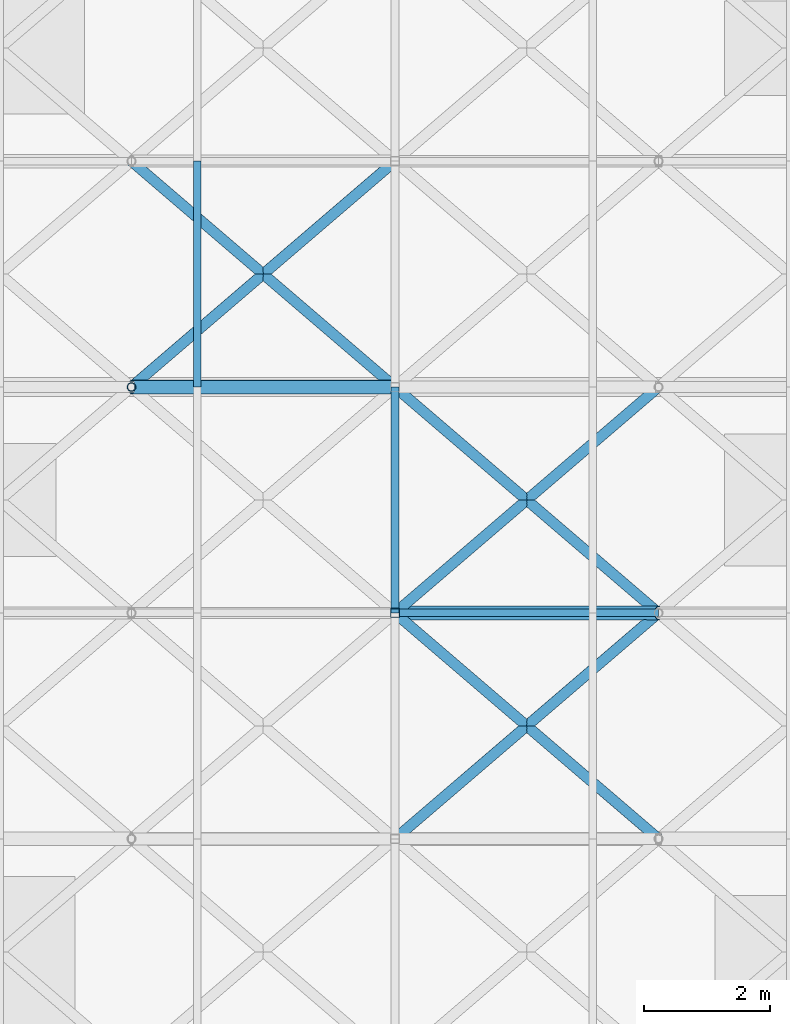
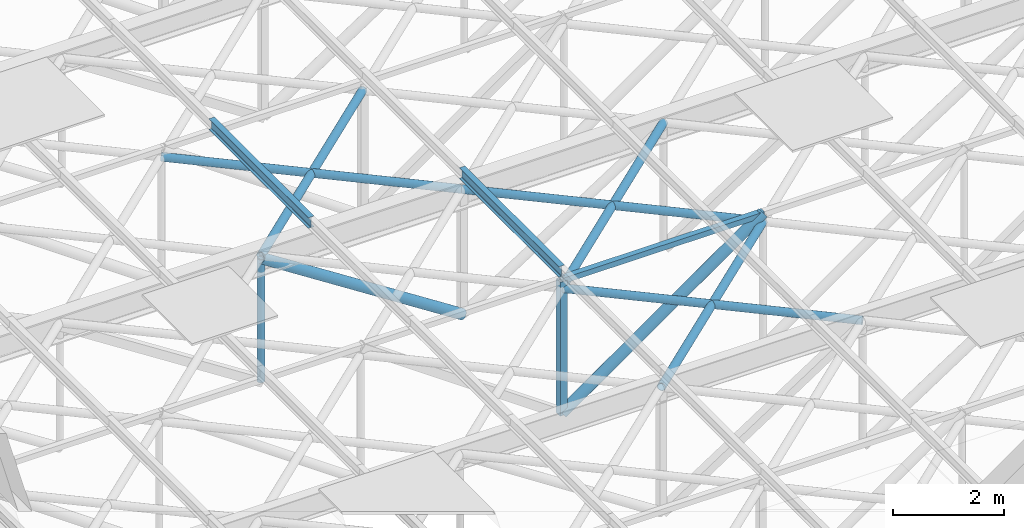
# One storey, part 10 of 45: 13 members.
"""IFC4 building model written with IfcOpenShell, lengths in metres."""

from ifc_helpers import new_model, si_unit, derived_unit, direction, frame, origin, origin_2d, place, context, subcontext, project, spatial, hollow_rectangle, hollow_circle, i_section, extrude, material, material_profile, profile_set, type_object, element, save


model = new_model("IFC4")

# Units and contexts
model_context = context("Model", 3, precision=1e-05, world=origin(), true_north=direction((0.0, 1.0)))
body_context = subcontext(model_context, "Body", "Model", "MODEL_VIEW")
ifc_project = project(units=[si_unit("LENGTHUNIT", "METRE"), si_unit("AREAUNIT", "SQUARE_METRE"), si_unit("VOLUMEUNIT", "CUBIC_METRE"), si_unit("PLANEANGLEUNIT", "RADIAN"), si_unit("MASSUNIT", "GRAM", prefix="KILO"), derived_unit("THERMALTRANSMITTANCEUNIT", [(si_unit("MASSUNIT", "GRAM", prefix="KILO"), 1), (si_unit("TIMEUNIT", "SECOND"), -3), (si_unit("THERMODYNAMICTEMPERATUREUNIT", "KELVIN"), -1)])], contexts=[model_context])

# Site, building, storey
site_placement = place(None, origin())
site = spatial("IfcSite", under=ifc_project, at=site_placement, CompositionType="ELEMENT")
building_placement = place(site_placement, origin())
building = spatial("IfcBuilding", under=site, at=building_placement, Name="Veldstrom Oceanarium and Marine Research Institute", CompositionType="ELEMENT")
storey_placement = place(building_placement, frame((0.0, 0.0, 22.199951171875)))
storey = spatial("IfcBuildingStorey", under=building, at=storey_placement, Name="L04", CompositionType="ELEMENT", Elevation=22.199951171875)

# Members
ifc_material_1 = material(Name="Steel S355JR", Category="steel")
ifc_material_profile_1 = material_profile(ifc_material_1, hollow_circle(Radius=0.109619140625, WallThickness=0.012451171875, at=origin_2d()), Name="CHS 219.1x12.5")
ifc_profile_set_1 = profile_set([ifc_material_profile_1], Name="Steel S355JR")
member_type_1 = type_object("IfcMemberType", Name="STR-MEM-BR1", PredefinedType="BRACE", material=ifc_profile_set_1)
member_1_placement = place(storey_placement, frame((29.39990234375, 25.199951171875, -1.89990234375), z_axis=(0.81833258052, 0.0, 0.574744976193), x_axis=(0.0, 1.0, 0.0)))
element("IfcMember", 1, at=member_1_placement, inside=storey, type_object=member_type_1, Name="Truss Web Diagonal RT04-4", PredefinedType="BRACE", context=body_context, shape_type="SweptSolid", body=[
    extrude(hollow_circle(Radius=0.109619140625, WallThickness=0.012451171875, at=origin_2d()), origin(), (0.0, 0.0, 1.0), 5.132568359375),
])
member_2_placement = place(storey_placement, frame((25.199951171875, 28.800048828125, 0.81005859375), z_axis=(0.840267936235, 0.0, -0.542171370819), x_axis=(0.0, 1.0, 0.0)))
element("IfcMember", 2, at=member_2_placement, inside=storey, type_object=member_type_1, Name="Truss Web Diagonal RT05-3", PredefinedType="BRACE", context=body_context, shape_type="SweptSolid", body=[
    extrude(hollow_circle(Radius=0.109619140625, WallThickness=0.012451171875, at=origin_2d()), origin(), (0.0, 0.0, 1.0), 4.998291015625),
])
ifc_material_2 = material(Name="Steel S355JR", Category="steel")
ifc_material_profile_2 = material_profile(ifc_material_2, hollow_circle(Radius=0.084228515625, WallThickness=0.008056640625, at=origin_2d()), Name="CHS 168.3x8")
ifc_profile_set_2 = profile_set([ifc_material_profile_2], Name="Steel S355JR")
member_type_2 = type_object("IfcMemberType", Name="STR-MEM-BR3", PredefinedType="BRACE", material=ifc_profile_set_2)
for number, where, z_axis, x_axis, name in (
    (3, (29.39990234375, 21.60009765625, 0.860107421875), (0.759284639853, 0.650758661627, 0.0), (-0.650758661627, 0.759284639853, 0.0), "Roof Plan Wind Brace WB-03-4"),
    (4, (33.60009765625, 21.60009765625, 0.860107421875), (-0.759284639853, 0.650758661627, 0.0), (-0.650758661627, -0.759284639853, 0.0), "Roof Plan Counter Wind Brace WB-03-4B"),
):
    element("IfcMember", number, at=place(storey_placement, frame(where, z_axis=z_axis, x_axis=x_axis)), inside=storey, type_object=member_type_2, Name=name, PredefinedType="BRACE", context=body_context, shape_type="SweptSolid", body=[
        extrude(hollow_circle(Radius=0.084228515625, WallThickness=0.008056640625, at=origin_2d()), origin(), (0.0, 0.0, 1.0), 5.53173828125),
    ])
for number, where, z_axis, x_axis, name in (
    (5, (29.39990234375, 25.199951171875, 0.860107421875), (0.759262832861, 0.650784104474, 0.0), (-0.650784104474, 0.759262832861, 0.0), "Roof Plan Wind Brace WB-04-4"),
    (6, (33.60009765625, 25.199951171875, 0.860107421875), (-0.759262832861, 0.650784104474, 0.0), (-0.650784104474, -0.759262832861, 0.0), "Roof Plan Counter Wind Brace WB-04-4B"),
):
    element("IfcMember", number, at=place(storey_placement, frame(where, z_axis=z_axis, x_axis=x_axis)), inside=storey, type_object=member_type_2, Name=name, PredefinedType="BRACE", context=body_context, shape_type="SweptSolid", body=[
        extrude(hollow_circle(Radius=0.084228515625, WallThickness=0.008056640625, at=origin_2d()), origin(), (0.0, 0.0, 1.0), 5.531982421875),
    ])
for number, where, z_axis, x_axis, name in (
    (7, (25.199951171875, 28.800048828125, 0.860107421875), (0.759265948664, 0.650780469282, 0.0), (-0.650780469282, 0.759265948664, 0.0), "Roof Plan Wind Brace WB-05-3"),
    (8, (29.39990234375, 28.800048828125, 0.860107421875), (-0.759265948664, 0.650780469282, 0.0), (-0.650780469282, -0.759265948664, 0.0), "Roof Plan Counter Wind Brace WB-05-3B"),
):
    element("IfcMember", number, at=place(storey_placement, frame(where, z_axis=z_axis, x_axis=x_axis)), inside=storey, type_object=member_type_2, Name=name, PredefinedType="BRACE", context=body_context, shape_type="SweptSolid", body=[
        extrude(hollow_circle(Radius=0.084228515625, WallThickness=0.008056640625, at=origin_2d()), origin(), (0.0, 0.0, 1.0), 5.531494140625),
    ])
ifc_material_3 = material(Name="Steel S355JR", Category="steel")
ifc_material_profile_3 = material_profile(ifc_material_3, i_section(OverallWidth=0.1201171875, OverallDepth=0.239990234375, WebThickness=0.006103515625, FlangeThickness=0.009765625, FilletRadius=0.014892578125, at=origin_2d()), Name="IPE 240")
ifc_profile_set_3 = profile_set([ifc_material_profile_3], Name="Steel S355JR")
member_type_3 = type_object("IfcMemberType", Name="STR-MEM-PR1", PredefinedType="PURLIN", material=ifc_profile_set_3)
member_3_placement = place(storey_placement, frame((29.39990234375, 25.199951171875, 1.22998046875), z_axis=(0.0, 1.0, 0.0), x_axis=(-1.0, 0.0, 0.0)))
element("IfcMember", 9, at=member_3_placement, inside=storey, type_object=member_type_3, Name="Hall Roof Purlin PR-05-5", PredefinedType="PURLIN", context=body_context, shape_type="SweptSolid", body=[
    extrude(i_section(OverallWidth=0.1201171875, OverallDepth=0.239990234375, WebThickness=0.006103515625, FlangeThickness=0.009765625, FilletRadius=0.014892578125, at=origin_2d()), origin(), (0.0, 0.0, 1.0), 3.60009765625),
])
member_4_placement = place(storey_placement, frame((26.25, 28.800048828125, 1.22998046875), z_axis=(0.0, 1.0, 0.0), x_axis=(-1.0, 0.0, 0.0)))
element("IfcMember", 10, at=member_4_placement, inside=storey, type_object=member_type_3, Name="Hall Roof Purlin PR-06-4", PredefinedType="PURLIN", context=body_context, shape_type="SweptSolid", body=[
    extrude(i_section(OverallWidth=0.1201171875, OverallDepth=0.239990234375, WebThickness=0.006103515625, FlangeThickness=0.009765625, FilletRadius=0.014892578125, at=origin_2d()), origin(), (0.0, 0.0, 1.0), 3.599853515625),
])
ifc_material_4 = material(Name="Steel S355JR", Category="steel")
ifc_material_profile_4 = material_profile(ifc_material_4, hollow_rectangle(XDim=0.14990234375, YDim=0.14990234375, WallThickness=0.010009765625, at=origin_2d()), Name="SHS 150x150x10")
ifc_profile_set_4 = profile_set([ifc_material_profile_4], Name="Steel S355JR")
member_type_4 = type_object("IfcMemberType", Name="STR-MEM-PS1", PredefinedType="POST", material=ifc_profile_set_4)
member_5_placement = place(storey_placement, frame((29.39990234375, 25.199951171875, -1.89990234375), z_axis=(0.0, 0.0, 1.0), x_axis=(1.0, 0.0, 0.0)))
element("IfcMember", 11, at=member_5_placement, inside=storey, type_object=member_type_4, Name="Truss Vertical Post RT04-4", PredefinedType="POST", context=body_context, shape_type="SweptSolid", body=[
    extrude(hollow_rectangle(XDim=0.14990234375, YDim=0.14990234375, WallThickness=0.010009765625, at=origin_2d()), origin(), (0.0, 0.0, 1.0), 2.949951171875),
])
ifc_material_5 = material(Name="Steel S355JR", Category="steel")
ifc_material_profile_5 = material_profile(ifc_material_5, hollow_circle(Radius=0.06982421875, WallThickness=0.008056640625, at=origin_2d()), Name="CHS 139.7x8")
ifc_profile_set_5 = profile_set([ifc_material_profile_5], Name="Steel S355JR")
member_type_5 = type_object("IfcMemberType", Name="STR-MEM-PS2", PredefinedType="POST", material=ifc_profile_set_5)
member_6_placement = place(storey_placement, frame((25.199951171875, 28.800048828125, -1.89990234375), z_axis=(0.0, 0.0, 1.0), x_axis=(1.0, 0.0, 0.0)))
element("IfcMember", 12, at=member_6_placement, inside=storey, type_object=member_type_5, Name="Truss Vertical Post RT05-3", PredefinedType="POST", context=body_context, shape_type="SweptSolid", body=[
    extrude(hollow_circle(Radius=0.06982421875, WallThickness=0.008056640625, at=origin_2d()), origin(), (0.0, 0.0, 1.0), 2.7099609375),
])
ifc_material_6 = material(Name="Steel S355JR", Category="steel")
ifc_material_profile_6 = material_profile(ifc_material_6, hollow_rectangle(XDim=0.1201171875, YDim=0.1201171875, WallThickness=0.008056640625, at=origin_2d()), Name="SHS 120x120x8")
ifc_profile_set_6 = profile_set([ifc_material_profile_6], Name="Steel S355JR")
member_type_6 = type_object("IfcMemberType", Name="STR-MEM-RF1", PredefinedType="RAFTER", material=ifc_profile_set_6)
member_7_placement = place(storey_placement, frame((29.39990234375, 25.199951171875, 1.050048828125), z_axis=(1.0, 0.0, 0.0), x_axis=(0.0, 1.0, 0.0)))
element("IfcMember", 13, at=member_7_placement, inside=storey, type_object=member_type_6, Name="Truss Top Rafter RT04-4", PredefinedType="RAFTER", context=body_context, shape_type="SweptSolid", body=[
    extrude(hollow_rectangle(XDim=0.1201171875, YDim=0.1201171875, WallThickness=0.008056640625, at=origin_2d()), origin(), (0.0, 0.0, 1.0), 4.2001953125),
])

save(model, "model.ifc")
